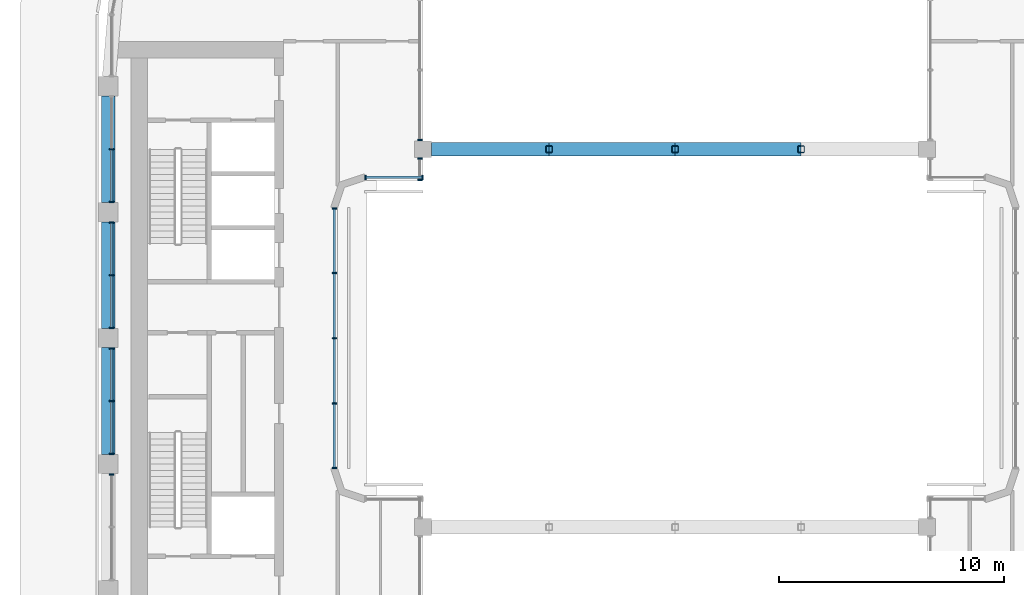
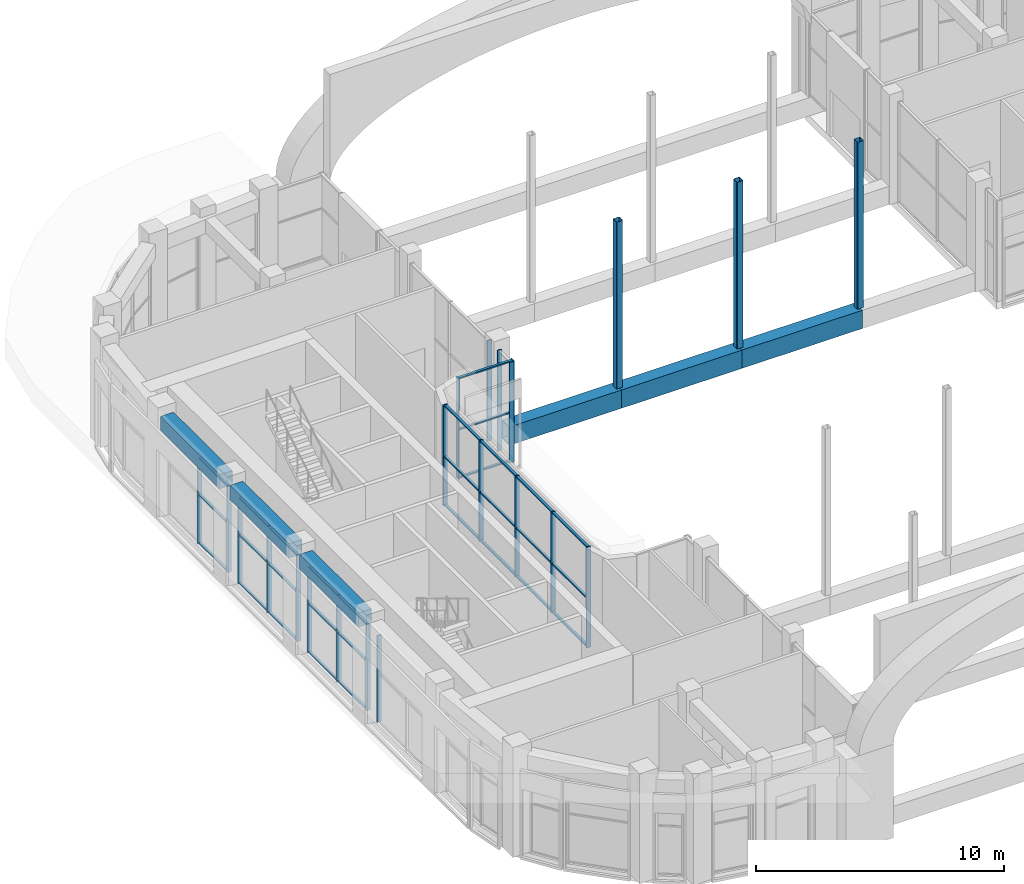
# One storey, part 4 of 26: 55 members, 3 beams, 8 elements without a shape of their own.
"""IFC4 building model written with IfcOpenShell, lengths in metres."""

import ifcopenshell
import ifcopenshell.guid

model = None  # the IFC model being written
_history = None  # IfcOwnerHistory: only IFC2X3 demands one
_inside = {}  # id of a spatial element -> (the spatial element, [elements in it])
_under = {}  # id of a project, library or spatial element -> (it, [spatial elements below it])
_declared = {}  # id of a project -> (the project, [libraries it declares])
_typed = {}  # id of a type object -> (the type object, [elements of that type])
_made_of = {}  # id of a material, layer set ... -> (it, [elements and type objects made of it])


def new_model(schema):
    """Start an empty IFC model of exactly this schema.

    Asked for "IFC4X3", IfcOpenShell would pick the latest addendum, in which some entities
    have other attributes; the version numbers below select the first issue.
    IFC2X3 requires an IfcOwnerHistory on every rooted entity: one is made here for all.
    """
    global model, _history
    if schema == "IFC4X3":
        model = ifcopenshell.file(schema_version=(4, 3, 0, 0))
    else:
        model = ifcopenshell.file(schema=schema)
    _inside.clear()
    _under.clear()
    _declared.clear()
    _typed.clear()
    _made_of.clear()
    _history = None
    if model.schema == "IFC2X3":
        org = make("IfcOrganization", Name="unknown")
        user = make(
            "IfcPersonAndOrganization",
            ThePerson=make("IfcPerson", FamilyName="unknown"),
            TheOrganization=org,
        )
        app = make(
            "IfcApplication",
            ApplicationDeveloper=org,
            Version="unknown",
            ApplicationFullName="unknown",
            ApplicationIdentifier="unknown",
        )
        _history = make(
            "IfcOwnerHistory",
            OwningUser=user,
            OwningApplication=app,
            ChangeAction="ADDED",
            CreationDate=0,
        )
    return model


def make(cls, **values):
    """One entity of the class cls with the attributes given. An attribute that is None is left unset."""
    return model.create_entity(
        cls, **{name: value for name, value in values.items() if value is not None}
    )


def rooted(cls, **values):
    """An entity with a GlobalId (a new one), such as an element, a storey or a relation."""
    return make(cls, GlobalId=ifcopenshell.guid.new(), OwnerHistory=_history, **values)


def si_unit(unit_type, name, prefix=None):
    """IfcSIUnit, for example si_unit("LENGTHUNIT", "METRE", prefix="MILLI")."""
    return make("IfcSIUnit", UnitType=unit_type, Prefix=prefix, Name=name)


def assignment(units):
    """IfcUnitAssignment: the units of a project."""
    return None if units is None else make("IfcUnitAssignment", Units=units)


def point(xyz):
    """IfcCartesianPoint."""
    return None if xyz is None else make("IfcCartesianPoint", Coordinates=xyz)


def direction(xyz):
    """IfcDirection."""
    return None if xyz is None else make("IfcDirection", DirectionRatios=xyz)


def frame(location, z_axis=None, x_axis=None):
    """IfcAxis2Placement3D, a coordinate frame: its origin and axes. An axis left out is left unset."""
    return make(
        "IfcAxis2Placement3D",
        Location=point(location),
        Axis=direction(z_axis),
        RefDirection=direction(x_axis),
    )


def frame_2d(location, x_axis=None):
    """IfcAxis2Placement2D, a coordinate frame in the plane: its origin and x axis."""
    return make(
        "IfcAxis2Placement2D", Location=point(location), RefDirection=direction(x_axis)
    )


def origin():
    """The frame at (0, 0, 0) with its axes left unset."""
    return frame((0.0, 0.0, 0.0))


def origin_2d():
    """The frame at (0, 0) in the plane with its x axis left unset."""
    return frame_2d((0.0, 0.0))


def place(relative_to, where):
    """IfcLocalPlacement: puts the frame where relative to a parent placement (None: the world)."""
    return make(
        "IfcLocalPlacement", PlacementRelTo=relative_to, RelativePlacement=where
    )


def context(
    kind, dimensions, precision=None, world=None, true_north=None, identifier=None
):
    """IfcGeometricRepresentationContext, for example the 3D "Model" context."""
    return make(
        "IfcGeometricRepresentationContext",
        ContextIdentifier=identifier,
        ContextType=kind,
        CoordinateSpaceDimension=dimensions,
        Precision=precision,
        WorldCoordinateSystem=world,
        TrueNorth=true_north,
    )


def subcontext(parent, identifier, kind, view, scale=None):
    """IfcGeometricRepresentationSubContext, for example "Body" below "Model"."""
    return make(
        "IfcGeometricRepresentationSubContext",
        ContextIdentifier=identifier,
        ContextType=kind,
        ParentContext=parent,
        TargetScale=scale,
        TargetView=view,
    )


def project(units=None, contexts=None):
    """IfcProject with its units and contexts."""
    return rooted(
        "IfcProject",
        Name="project",
        RepresentationContexts=contexts,
        UnitsInContext=assignment(units),
    )


def spatial(cls, under=None, at=None, **own):
    """A site, building, storey or space (cls), placed at a placement, below another one or the project."""
    s = rooted(cls, ObjectPlacement=at, **own)
    if under is not None:
        _under.setdefault(under.id(), (under, []))[1].append(s)
    return s


def profile(cls, at=None, kind="AREA", **sizes):
    """A parametric profile (cls). Its sizes go by their IFC names, for example OverallWidth=200.0."""
    return make(cls, ProfileType=kind, Position=at, **sizes)


def rectangle(**sizes):
    """IfcRectangleProfileDef."""
    return profile("IfcRectangleProfileDef", **sizes)


def hollow_rectangle(**sizes):
    """IfcRectangleHollowProfileDef."""
    return profile("IfcRectangleHollowProfileDef", **sizes)


def extrude(swept, where, along, depth):
    """IfcExtrudedAreaSolid: the profile swept, set in the frame where, extruded along a direction by depth."""
    return make(
        "IfcExtrudedAreaSolid",
        SweptArea=swept,
        Position=where,
        ExtrudedDirection=direction(along),
        Depth=depth,
    )


def shape(context_of_items, identifier, shape_type, items):
    """IfcShapeRepresentation: the items that make up one representation, for example the "Body"."""
    return make(
        "IfcShapeRepresentation",
        ContextOfItems=context_of_items,
        RepresentationIdentifier=identifier,
        RepresentationType=shape_type,
        Items=items,
    )


def material(Name=None, Category=None):
    """IfcMaterial."""
    return make("IfcMaterial", Name=Name, Category=Category)


def layer(
    of_material, thickness, ventilated=None, Name=None, Category=None, Priority=None
):
    """IfcMaterialLayer: one layer of a wall or slab, of a material (None: an air gap)."""
    return make(
        "IfcMaterialLayer",
        Material=of_material,
        LayerThickness=thickness,
        IsVentilated=ventilated,
        Name=Name,
        Category=Category,
        Priority=Priority,
    )


def layer_set(layers, Name=None):
    """IfcMaterialLayerSet."""
    return make("IfcMaterialLayerSet", MaterialLayers=layers, LayerSetName=Name)


def material_profile(
    of_material, cross_section, Name=None, Category=None, Priority=None
):
    """IfcMaterialProfile: a cross section and its material."""
    return make(
        "IfcMaterialProfile",
        Name=Name,
        Material=of_material,
        Profile=cross_section,
        Priority=Priority,
        Category=Category,
    )


def profile_set(profiles, Name=None, composite=None):
    """IfcMaterialProfileSet."""
    return make(
        "IfcMaterialProfileSet",
        Name=Name,
        MaterialProfiles=profiles,
        CompositeProfile=composite,
    )


def made_of(thing, what):
    """Note that an element or type object is made of a material, layer set ...; save() writes the relation."""
    if what is not None:
        _made_of.setdefault(what.id(), (what, []))[1].append(thing)
    return thing


def type_object(cls, material=None, **own):
    """A type object (cls), such as IfcWallType, which elements share."""
    return made_of(rooted(cls, **own), material)


def element(
    cls,
    number,
    at=None,
    inside=None,
    cuts=None,
    type_object=None,
    material=None,
    context=None,
    identifier="Body",
    shape_type=None,
    held_by="IfcProductDefinitionShape",
    body=None,
    shapes=None,
    **own,
):
    """One element of the class cls, such as IfcWall. Its Tag is "e" and its number.

    at: its placement. inside: the storey or other place that contains it. cuts: it is an
    opening in that element (IfcRelVoidsElement). A single representation is given by context,
    identifier, shape_type and body (its items); several are given by shapes. held_by: the class
    of the entity that holds the representations. save() writes the other relations.
    """
    e = rooted(cls, Tag="e%d" % number, ObjectPlacement=at, **own)
    if body is not None:
        shapes = [shape(context, identifier, shape_type, body)]
    if shapes is not None:
        e.Representation = make(held_by, Representations=shapes)
    if inside is not None:
        _inside.setdefault(inside.id(), (inside, []))[1].append(e)
    if cuts is not None:
        rooted(
            "IfcRelVoidsElement", RelatingBuildingElement=cuts, RelatedOpeningElement=e
        )
    if type_object is not None:
        _typed.setdefault(type_object.id(), (type_object, []))[1].append(e)
    return made_of(e, material)


def aggregate(whole, parts):
    """IfcRelAggregates: a whole, such as a stair, and the parts it consists of."""
    return rooted("IfcRelAggregates", RelatingObject=whole, RelatedObjects=parts)


def save(model, path):
    """Write the relations noted so far, then the file.

    IfcRelAggregates (storeys below a building ...), IfcRelContainedInSpatialStructure (elements
    in a storey), IfcRelDefinesByType, IfcRelAssociatesMaterial and IfcRelDeclares: one each for
    every whole, place, type object, material and project.
    """
    for whole, parts in _under.values():
        aggregate(whole, parts)
    for where, things in _inside.values():
        rooted(
            "IfcRelContainedInSpatialStructure",
            RelatedElements=things,
            RelatingStructure=where,
        )
    for kind, things in _typed.values():
        rooted("IfcRelDefinesByType", RelatedObjects=things, RelatingType=kind)
    for what, things in _made_of.values():
        rooted("IfcRelAssociatesMaterial", RelatedObjects=things, RelatingMaterial=what)
    for by, libraries in _declared.values():
        rooted("IfcRelDeclares", RelatingContext=by, RelatedDefinitions=libraries)
    model.write(path)


model = new_model("IFC4")

# Units and contexts
model_context = context("Model", 3, precision=1e-05, world=origin(), true_north=direction((0.0, 1.0)))
body_context = subcontext(model_context, "Body", "Model", "MODEL_VIEW")
ifc_project = project(units=[si_unit("LENGTHUNIT", "METRE"), si_unit("AREAUNIT", "SQUARE_METRE"), si_unit("VOLUMEUNIT", "CUBIC_METRE"), si_unit("PLANEANGLEUNIT", "RADIAN"), si_unit("MASSUNIT", "GRAM", prefix="KILO")], contexts=[model_context])

# Site, building, storey
site_placement = place(None, origin())
site = spatial("IfcSite", under=ifc_project, at=site_placement, CompositionType="ELEMENT")
building_placement = place(site_placement, origin())
building = spatial("IfcBuilding", under=site, at=building_placement, Name="Kiln Ring Residences", CompositionType="ELEMENT")
storey_placement = place(building_placement, frame((0.0, 0.0, 230.89990234375)))
storey = spatial("IfcBuildingStorey", under=building, at=storey_placement, Name="L60", CompositionType="ELEMENT", Elevation=230.89990234375)

# Members
ifc_material_1 = material(Name="Steel S460", Category="steel")
ifc_material_profile_1 = material_profile(ifc_material_1, hollow_rectangle(XDim=0.60009765625, YDim=0.89990234375, WallThickness=0.050048828125, at=origin_2d()), Name="BOX900x600x50")
ifc_profile_set_1 = profile_set([ifc_material_profile_1], Name="Steel S460")
member_type_1 = type_object("IfcMemberType", Name="Bridge truss chord BOX900x600x50 S460", PredefinedType="CHORD", material=ifc_profile_set_1)
member_1_placement = place(storey_placement, frame((-10.824951171875, 8.39990234375, 0.4501953125), z_axis=(1.0, 0.0, 0.0), x_axis=(0.0, 1.0, 0.0)))
element("IfcMember", 1, at=member_1_placement, inside=storey, type_object=member_type_1, Name="Bridge truss chord L60 15", PredefinedType="CHORD", context=body_context, shape_type="SweptSolid", body=[
    extrude(hollow_rectangle(XDim=0.60009765625, YDim=0.89990234375, WallThickness=0.050048828125, at=origin_2d()), origin(), (0.0, 0.0, 1.0), 5.224853515625),
])
for number, where, z_axis, x_axis, name in (
    (2, (-5.60009765625, 8.39990234375, 0.4501953125), (1.0, 0.0, 0.0), (0.0, 1.0, 0.0), "Bridge truss chord L60 16"),
    (3, (0.0, 8.39990234375, 0.4501953125), (1.0, 0.0, 0.0), (0.0, 1.0, 0.0), "Bridge truss chord L60 17"),
):
    element("IfcMember", number, at=place(storey_placement, frame(where, z_axis=z_axis, x_axis=x_axis)), inside=storey, type_object=member_type_1, Name=name, PredefinedType="CHORD", context=body_context, shape_type="SweptSolid", body=[
        extrude(hollow_rectangle(XDim=0.60009765625, YDim=0.89990234375, WallThickness=0.050048828125, at=origin_2d()), origin(), (0.0, 0.0, 1.0), 5.60009765625),
    ])
ifc_material_2 = material(Name="Steel S355", Category="steel")
ifc_material_profile_2 = material_profile(ifc_material_2, hollow_rectangle(XDim=0.300048828125, YDim=0.300048828125, WallThickness=0.01611328125, InnerFilletRadius=0.01611328125, OuterFilletRadius=0.0400390625, at=origin_2d()), Name="SHS300x300x16")
ifc_profile_set_2 = profile_set([ifc_material_profile_2], Name="Steel S355")
member_type_2 = type_object("IfcMemberType", Name="Bridge truss post SHS300x300x16 S355", PredefinedType="POST", material=ifc_profile_set_2)
for number, where, z_axis, x_axis, name in (
    (4, (-5.60009765625, 8.39990234375, 0.900146484375), (0.0, 0.0, 1.0), (1.0, 0.0, 0.0), "Bridge truss post L60 10"),
    (5, (0.0, 8.39990234375, 0.900146484375), (0.0, 0.0, 1.0), (1.0, 0.0, 0.0), "Bridge truss post L60 11"),
    (6, (5.60009765625, 8.39990234375, 0.900146484375), (0.0, 0.0, 1.0), (1.0, 0.0, 0.0), "Bridge truss post L60 12"),
):
    element("IfcMember", number, at=place(storey_placement, frame(where, z_axis=z_axis, x_axis=x_axis)), inside=storey, type_object=member_type_2, Name=name, PredefinedType="POST", context=body_context, shape_type="SweptSolid", body=[
        extrude(hollow_rectangle(XDim=0.300048828125, YDim=0.300048828125, WallThickness=0.01611328125, InnerFilletRadius=0.01611328125, OuterFilletRadius=0.0400390625, at=origin_2d()), origin(), (0.0, 0.0, 1.0), 8.199951171875),
    ])

# Curtain wall, members
ifc_material_3 = material(Name="Aluminium and glass", Category="aluminium")
ifc_layer = layer(ifc_material_3, 0.199951171875)
ifc_layer_set = layer_set([ifc_layer], Name="CW1 CURTAIN WALL")
curtain_wall_type = type_object("IfcCurtainWallType", Name="CW1 CURTAIN WALL", PredefinedType="NOTDEFINED", material=ifc_layer_set)
placement = place(storey_placement, origin())
curtain_wall_1 = element("IfcCurtainWall", 7, at=placement, inside=storey, type_object=curtain_wall_type, Name="Curtain wall CW1 L60", PredefinedType="NOTDEFINED")
ifc_material_4 = material(Name="Aluminium 6063-T6", Category="aluminium")
ifc_material_profile_3 = material_profile(ifc_material_4, rectangle(XDim=0.199951171875, YDim=0.06005859375, at=origin_2d()), Name="AL 200x60")
ifc_profile_set_3 = profile_set([ifc_material_profile_3], Name="Aluminium 6063-T6")
member_type_3 = type_object("IfcMemberType", Name="CW1 MULLION 200 x 60", PredefinedType="MULLION", material=ifc_profile_set_3)
member_2_placement = place(storey_placement, frame((-15.14990234375, -5.77001953125, 0.0), z_axis=(0.0, 0.0, 1.0), x_axis=(-1.0, 0.0, 0.0)))
member_2 = element("IfcMember", 8, at=member_2_placement, type_object=member_type_3, Name="CW1 mullion 1", PredefinedType="MULLION", context=body_context, shape_type="SweptSolid", body=[
    extrude(rectangle(XDim=0.199951171875, YDim=0.06005859375, at=origin_2d()), origin(), (0.0, 0.0, 1.0), 4.9501953125),
])
member_3_placement = place(storey_placement, frame((-15.14990234375, -2.89990234375, 0.0), z_axis=(0.0, 0.0, 1.0), x_axis=(-1.0, 0.0, 0.0)))
member_3 = element("IfcMember", 9, at=member_3_placement, type_object=member_type_3, Name="CW1 mullion 2", PredefinedType="MULLION", context=body_context, shape_type="SweptSolid", body=[
    extrude(rectangle(XDim=0.199951171875, YDim=0.06005859375, at=origin_2d()), origin(), (0.0, 0.0, 1.0), 4.9501953125),
])
member_4_placement = place(storey_placement, frame((-15.14990234375, 0.0, 0.0), z_axis=(0.0, 0.0, 1.0), x_axis=(-1.0, 0.0, 0.0)))
member_4 = element("IfcMember", 10, at=member_4_placement, type_object=member_type_3, Name="CW1 mullion 3", PredefinedType="MULLION", context=body_context, shape_type="SweptSolid", body=[
    extrude(rectangle(XDim=0.199951171875, YDim=0.06005859375, at=origin_2d()), origin(), (0.0, 0.0, 1.0), 4.9501953125),
])
member_5_placement = place(storey_placement, frame((-15.14990234375, 2.89990234375, 0.0), z_axis=(0.0, 0.0, 1.0), x_axis=(-1.0, 0.0, 0.0)))
member_5 = element("IfcMember", 11, at=member_5_placement, type_object=member_type_3, Name="CW1 mullion 4", PredefinedType="MULLION", context=body_context, shape_type="SweptSolid", body=[
    extrude(rectangle(XDim=0.199951171875, YDim=0.06005859375, at=origin_2d()), origin(), (0.0, 0.0, 1.0), 4.9501953125),
])
member_6_placement = place(storey_placement, frame((-15.14990234375, 5.77001953125, 0.0), z_axis=(0.0, 0.0, 1.0), x_axis=(-1.0, 0.0, 0.0)))
member_6 = element("IfcMember", 12, at=member_6_placement, type_object=member_type_3, Name="CW1 mullion 5", PredefinedType="MULLION", context=body_context, shape_type="SweptSolid", body=[
    extrude(rectangle(XDim=0.199951171875, YDim=0.06005859375, at=origin_2d()), origin(), (0.0, 0.0, 1.0), 4.9501953125),
])

curtain_wall_2 = element("IfcCurtainWall", 13, at=placement, inside=storey, type_object=curtain_wall_type, Name="Curtain wall CW1 L60", PredefinedType="NOTDEFINED")
member_7_placement = place(storey_placement, frame((-13.77001953125, 7.14990234375, 0.0), z_axis=(0.0, 0.0, 1.0), x_axis=(0.0, 1.0, 0.0)))
member_7 = element("IfcMember", 14, at=member_7_placement, type_object=member_type_3, Name="CW1 mullion 1", PredefinedType="MULLION", context=body_context, shape_type="SweptSolid", body=[
    extrude(rectangle(XDim=0.199951171875, YDim=0.06005859375, at=origin_2d()), origin(), (0.0, 0.0, 1.0), 4.9501953125),
])
member_8_placement = place(storey_placement, frame((-11.22998046875, 7.14990234375, 0.0), z_axis=(0.0, 0.0, 1.0), x_axis=(0.0, 1.0, 0.0)))
member_8 = element("IfcMember", 15, at=member_8_placement, type_object=member_type_3, Name="CW1 mullion 2", PredefinedType="MULLION", context=body_context, shape_type="SweptSolid", body=[
    extrude(rectangle(XDim=0.199951171875, YDim=0.06005859375, at=origin_2d()), origin(), (0.0, 0.0, 1.0), 4.9501953125),
])

curtain_wall_3 = element("IfcCurtainWall", 16, at=placement, inside=storey, type_object=curtain_wall_type, Name="Curtain wall CW1 L60", PredefinedType="NOTDEFINED")
member_9_placement = place(storey_placement, frame((-11.35009765625, 7.030029296875, 0.0), z_axis=(0.0, 0.0, 1.0), x_axis=(-1.0, 0.0, 0.0)))
member_9 = element("IfcMember", 17, at=member_9_placement, type_object=member_type_3, Name="CW1 mullion 1", PredefinedType="MULLION", context=body_context, shape_type="SweptSolid", body=[
    extrude(rectangle(XDim=0.199951171875, YDim=0.06005859375, at=origin_2d()), origin(), (0.0, 0.0, 1.0), 4.9501953125),
])
member_10_placement = place(storey_placement, frame((-11.35009765625, 7.9951171875, 0.0), z_axis=(0.0, 0.0, 1.0), x_axis=(-1.0, 0.0, 0.0)))
member_10 = element("IfcMember", 18, at=member_10_placement, type_object=member_type_3, Name="CW1 mullion 2", PredefinedType="MULLION", context=body_context, shape_type="SweptSolid", body=[
    extrude(rectangle(XDim=0.199951171875, YDim=0.06005859375, at=origin_2d()), origin(), (0.0, 0.0, 1.0), 4.9501953125),
])
aggregate(curtain_wall_3, [member_9, member_10])

# Curtain wall, member
curtain_wall_4 = element("IfcCurtainWall", 19, at=placement, inside=storey, type_object=curtain_wall_type, Name="Curtain wall CW1 L60", PredefinedType="NOTDEFINED")
member_11_placement = place(storey_placement, frame((-11.35009765625, 8.804931640625, 0.0), z_axis=(0.0, 0.0, 1.0), x_axis=(-1.0, 0.0, 0.0)))
member_11 = element("IfcMember", 20, at=member_11_placement, type_object=member_type_3, Name="CW1 mullion 1", PredefinedType="MULLION", context=body_context, shape_type="SweptSolid", body=[
    extrude(rectangle(XDim=0.199951171875, YDim=0.06005859375, at=origin_2d()), origin(), (0.0, 0.0, 1.0), 4.9501953125),
])
aggregate(curtain_wall_4, [member_11])

# Curtain wall, members
curtain_wall_5 = element("IfcCurtainWall", 21, at=placement, inside=storey, type_object=curtain_wall_type, Name="Curtain wall CW1 L60", PredefinedType="NOTDEFINED")
member_12_placement = place(storey_placement, frame((-25.050048828125, 8.39990234375, 0.0), z_axis=(0.0, 0.0, 1.0), x_axis=(1.0, 0.0, 0.0)))
member_12 = element("IfcMember", 22, at=member_12_placement, type_object=member_type_3, Name="CW1 mullion 2", PredefinedType="MULLION", context=body_context, shape_type="SweptSolid", body=[
    extrude(rectangle(XDim=0.199951171875, YDim=0.06005859375, at=origin_2d()), origin(), (0.0, 0.0, 1.0), 4.25),
])
member_13_placement = place(storey_placement, frame((-25.050048828125, 6.054931640625, 0.0), z_axis=(0.0, 0.0, 1.0), x_axis=(1.0, 0.0, 0.0)))
member_13 = element("IfcMember", 23, at=member_13_placement, type_object=member_type_3, Name="CW1 mullion 3", PredefinedType="MULLION", context=body_context, shape_type="SweptSolid", body=[
    extrude(rectangle(XDim=0.199951171875, YDim=0.06005859375, at=origin_2d()), origin(), (0.0, 0.0, 1.0), 4.25),
])

curtain_wall_6 = element("IfcCurtainWall", 24, at=placement, inside=storey, type_object=curtain_wall_type, Name="Curtain wall CW1 L60", PredefinedType="NOTDEFINED")
member_14_placement = place(storey_placement, frame((-25.050048828125, 5.14501953125, 0.0), z_axis=(0.0, 0.0, 1.0), x_axis=(1.0, 0.0, 0.0)))
member_14 = element("IfcMember", 25, at=member_14_placement, type_object=member_type_3, Name="CW1 mullion 1", PredefinedType="MULLION", context=body_context, shape_type="SweptSolid", body=[
    extrude(rectangle(XDim=0.199951171875, YDim=0.06005859375, at=origin_2d()), origin(), (0.0, 0.0, 1.0), 4.25),
])
member_15_placement = place(storey_placement, frame((-25.050048828125, 2.800048828125, 0.0), z_axis=(0.0, 0.0, 1.0), x_axis=(1.0, 0.0, 0.0)))
member_15 = element("IfcMember", 26, at=member_15_placement, type_object=member_type_3, Name="CW1 mullion 2", PredefinedType="MULLION", context=body_context, shape_type="SweptSolid", body=[
    extrude(rectangle(XDim=0.199951171875, YDim=0.06005859375, at=origin_2d()), origin(), (0.0, 0.0, 1.0), 4.25),
])
member_16_placement = place(storey_placement, frame((-25.050048828125, 0.455078125, 0.0), z_axis=(0.0, 0.0, 1.0), x_axis=(1.0, 0.0, 0.0)))
member_16 = element("IfcMember", 27, at=member_16_placement, type_object=member_type_3, Name="CW1 mullion 3", PredefinedType="MULLION", context=body_context, shape_type="SweptSolid", body=[
    extrude(rectangle(XDim=0.199951171875, YDim=0.06005859375, at=origin_2d()), origin(), (0.0, 0.0, 1.0), 4.25),
])

curtain_wall_7 = element("IfcCurtainWall", 28, at=placement, inside=storey, type_object=curtain_wall_type, Name="Curtain wall CW1 L60", PredefinedType="NOTDEFINED")
member_17_placement = place(storey_placement, frame((-25.050048828125, -0.455078125, 0.0), z_axis=(0.0, 0.0, 1.0), x_axis=(1.0, 0.0, 0.0)))
member_17 = element("IfcMember", 29, at=member_17_placement, type_object=member_type_3, Name="CW1 mullion 1", PredefinedType="MULLION", context=body_context, shape_type="SweptSolid", body=[
    extrude(rectangle(XDim=0.199951171875, YDim=0.06005859375, at=origin_2d()), origin(), (0.0, 0.0, 1.0), 4.25),
])
member_18_placement = place(storey_placement, frame((-25.050048828125, -2.800048828125, 0.0), z_axis=(0.0, 0.0, 1.0), x_axis=(1.0, 0.0, 0.0)))
member_18 = element("IfcMember", 30, at=member_18_placement, type_object=member_type_3, Name="CW1 mullion 2", PredefinedType="MULLION", context=body_context, shape_type="SweptSolid", body=[
    extrude(rectangle(XDim=0.199951171875, YDim=0.06005859375, at=origin_2d()), origin(), (0.0, 0.0, 1.0), 4.25),
])
member_19_placement = place(storey_placement, frame((-25.050048828125, -5.14501953125, 0.0), z_axis=(0.0, 0.0, 1.0), x_axis=(1.0, 0.0, 0.0)))
member_19 = element("IfcMember", 31, at=member_19_placement, type_object=member_type_3, Name="CW1 mullion 3", PredefinedType="MULLION", context=body_context, shape_type="SweptSolid", body=[
    extrude(rectangle(XDim=0.199951171875, YDim=0.06005859375, at=origin_2d()), origin(), (0.0, 0.0, 1.0), 4.25),
])

# Curtain wall, member
curtain_wall_8 = element("IfcCurtainWall", 32, at=placement, inside=storey, type_object=curtain_wall_type, Name="Curtain wall CW1 L60", PredefinedType="NOTDEFINED")
member_20_placement = place(storey_placement, frame((-25.050048828125, -6.054931640625, 0.0), z_axis=(0.0, 0.0, 1.0), x_axis=(1.0, 0.0, 0.0)))
member_20 = element("IfcMember", 33, at=member_20_placement, type_object=member_type_3, Name="CW1 mullion 1", PredefinedType="MULLION", context=body_context, shape_type="SweptSolid", body=[
    extrude(rectangle(XDim=0.199951171875, YDim=0.06005859375, at=origin_2d()), origin(), (0.0, 0.0, 1.0), 4.25),
])
aggregate(curtain_wall_8, [member_20])

# Member
ifc_material_5 = material(Name="Aluminium 6063-T6", Category="aluminium")
ifc_material_profile_4 = material_profile(ifc_material_5, rectangle(XDim=0.1201171875, YDim=0.06005859375, at=origin_2d()), Name="AL 120x60")
ifc_profile_set_4 = profile_set([ifc_material_profile_4], Name="Aluminium 6063-T6")
member_type_4 = type_object("IfcMemberType", Name="CW1 TRANSOM 120 x 60", PredefinedType="USERDEFINED", material=ifc_profile_set_4)
member_21_placement = place(storey_placement, frame((-15.14990234375, -5.739990234375, 0.030029296875), z_axis=(0.0, 1.0, 0.0), x_axis=(-1.0, 0.0, 0.0)))
member_21 = element("IfcMember", 34, at=member_21_placement, type_object=member_type_4, Name="CW1 transom 1.1", ObjectType="TRANSOM", PredefinedType="USERDEFINED", context=body_context, shape_type="SweptSolid", body=[
    extrude(rectangle(XDim=0.1201171875, YDim=0.06005859375, at=origin_2d()), origin(), (0.0, 0.0, 1.0), 2.81005859375),
])

member_22_placement = place(storey_placement, frame((-15.14990234375, -5.739990234375, 2.400146484375), z_axis=(0.0, 1.0, 0.0), x_axis=(-1.0, 0.0, 0.0)))
member_22 = element("IfcMember", 35, at=member_22_placement, type_object=member_type_4, Name="CW1 transom 1.2", ObjectType="TRANSOM", PredefinedType="USERDEFINED", context=body_context, shape_type="SweptSolid", body=[
    extrude(rectangle(XDim=0.1201171875, YDim=0.06005859375, at=origin_2d()), origin(), (0.0, 0.0, 1.0), 2.81005859375),
])

member_23_placement = place(storey_placement, frame((-15.14990234375, -5.739990234375, 4.920166015625), z_axis=(0.0, 1.0, 0.0), x_axis=(-1.0, 0.0, 0.0)))
member_23 = element("IfcMember", 36, at=member_23_placement, type_object=member_type_4, Name="CW1 transom 1.3", ObjectType="TRANSOM", PredefinedType="USERDEFINED", context=body_context, shape_type="SweptSolid", body=[
    extrude(rectangle(XDim=0.1201171875, YDim=0.06005859375, at=origin_2d()), origin(), (0.0, 0.0, 1.0), 2.81005859375),
])

member_24_placement = place(storey_placement, frame((-15.14990234375, -2.8701171875, 0.030029296875), z_axis=(0.0, 1.0, 0.0), x_axis=(-1.0, 0.0, 0.0)))
member_24 = element("IfcMember", 37, at=member_24_placement, type_object=member_type_4, Name="CW1 transom 2.1", ObjectType="TRANSOM", PredefinedType="USERDEFINED", context=body_context, shape_type="SweptSolid", body=[
    extrude(rectangle(XDim=0.1201171875, YDim=0.06005859375, at=origin_2d()), origin(), (0.0, 0.0, 1.0), 2.840087890625),
])

member_25_placement = place(storey_placement, frame((-15.14990234375, -2.8701171875, 2.400146484375), z_axis=(0.0, 1.0, 0.0), x_axis=(-1.0, 0.0, 0.0)))
member_25 = element("IfcMember", 38, at=member_25_placement, type_object=member_type_4, Name="CW1 transom 2.2", ObjectType="TRANSOM", PredefinedType="USERDEFINED", context=body_context, shape_type="SweptSolid", body=[
    extrude(rectangle(XDim=0.1201171875, YDim=0.06005859375, at=origin_2d()), origin(), (0.0, 0.0, 1.0), 2.840087890625),
])

member_26_placement = place(storey_placement, frame((-15.14990234375, -2.8701171875, 4.920166015625), z_axis=(0.0, 1.0, 0.0), x_axis=(-1.0, 0.0, 0.0)))
member_26 = element("IfcMember", 39, at=member_26_placement, type_object=member_type_4, Name="CW1 transom 2.3", ObjectType="TRANSOM", PredefinedType="USERDEFINED", context=body_context, shape_type="SweptSolid", body=[
    extrude(rectangle(XDim=0.1201171875, YDim=0.06005859375, at=origin_2d()), origin(), (0.0, 0.0, 1.0), 2.840087890625),
])

member_27_placement = place(storey_placement, frame((-15.14990234375, 0.030029296875, 0.030029296875), z_axis=(0.0, 1.0, 0.0), x_axis=(-1.0, 0.0, 0.0)))
member_27 = element("IfcMember", 40, at=member_27_placement, type_object=member_type_4, Name="CW1 transom 3.1", ObjectType="TRANSOM", PredefinedType="USERDEFINED", context=body_context, shape_type="SweptSolid", body=[
    extrude(rectangle(XDim=0.1201171875, YDim=0.06005859375, at=origin_2d()), origin(), (0.0, 0.0, 1.0), 2.840087890625),
])

member_28_placement = place(storey_placement, frame((-15.14990234375, 0.030029296875, 2.400146484375), z_axis=(0.0, 1.0, 0.0), x_axis=(-1.0, 0.0, 0.0)))
member_28 = element("IfcMember", 41, at=member_28_placement, type_object=member_type_4, Name="CW1 transom 3.2", ObjectType="TRANSOM", PredefinedType="USERDEFINED", context=body_context, shape_type="SweptSolid", body=[
    extrude(rectangle(XDim=0.1201171875, YDim=0.06005859375, at=origin_2d()), origin(), (0.0, 0.0, 1.0), 2.840087890625),
])

member_29_placement = place(storey_placement, frame((-15.14990234375, 0.030029296875, 4.920166015625), z_axis=(0.0, 1.0, 0.0), x_axis=(-1.0, 0.0, 0.0)))
member_29 = element("IfcMember", 42, at=member_29_placement, type_object=member_type_4, Name="CW1 transom 3.3", ObjectType="TRANSOM", PredefinedType="USERDEFINED", context=body_context, shape_type="SweptSolid", body=[
    extrude(rectangle(XDim=0.1201171875, YDim=0.06005859375, at=origin_2d()), origin(), (0.0, 0.0, 1.0), 2.840087890625),
])

member_30_placement = place(storey_placement, frame((-15.14990234375, 2.929931640625, 0.030029296875), z_axis=(0.0, 1.0, 0.0), x_axis=(-1.0, 0.0, 0.0)))
member_30 = element("IfcMember", 43, at=member_30_placement, type_object=member_type_4, Name="CW1 transom 4.1", ObjectType="TRANSOM", PredefinedType="USERDEFINED", context=body_context, shape_type="SweptSolid", body=[
    extrude(rectangle(XDim=0.1201171875, YDim=0.06005859375, at=origin_2d()), origin(), (0.0, 0.0, 1.0), 2.81005859375),
])

member_31_placement = place(storey_placement, frame((-15.14990234375, 2.929931640625, 2.400146484375), z_axis=(0.0, 1.0, 0.0), x_axis=(-1.0, 0.0, 0.0)))
member_31 = element("IfcMember", 44, at=member_31_placement, type_object=member_type_4, Name="CW1 transom 4.2", ObjectType="TRANSOM", PredefinedType="USERDEFINED", context=body_context, shape_type="SweptSolid", body=[
    extrude(rectangle(XDim=0.1201171875, YDim=0.06005859375, at=origin_2d()), origin(), (0.0, 0.0, 1.0), 2.81005859375),
])

member_32_placement = place(storey_placement, frame((-15.14990234375, 2.929931640625, 4.920166015625), z_axis=(0.0, 1.0, 0.0), x_axis=(-1.0, 0.0, 0.0)))
member_32 = element("IfcMember", 45, at=member_32_placement, type_object=member_type_4, Name="CW1 transom 4.3", ObjectType="TRANSOM", PredefinedType="USERDEFINED", context=body_context, shape_type="SweptSolid", body=[
    extrude(rectangle(XDim=0.1201171875, YDim=0.06005859375, at=origin_2d()), origin(), (0.0, 0.0, 1.0), 2.81005859375),
])

aggregate(curtain_wall_1, [member_2, member_3, member_4, member_5, member_6, member_21, member_22, member_23, member_24, member_25, member_26, member_27, member_28, member_29, member_30, member_31, member_32])

member_33_placement = place(storey_placement, frame((-13.739990234375, 7.14990234375, 0.030029296875), z_axis=(1.0, 0.0, 0.0), x_axis=(0.0, 1.0, 0.0)))
member_33 = element("IfcMember", 46, at=member_33_placement, type_object=member_type_4, Name="CW1 transom 1.1", ObjectType="TRANSOM", PredefinedType="USERDEFINED", context=body_context, shape_type="SweptSolid", body=[
    extrude(rectangle(XDim=0.1201171875, YDim=0.06005859375, at=origin_2d()), origin(), (0.0, 0.0, 1.0), 2.47998046875),
])

member_34_placement = place(storey_placement, frame((-13.739990234375, 7.14990234375, 2.400146484375), z_axis=(1.0, 0.0, 0.0), x_axis=(0.0, 1.0, 0.0)))
member_34 = element("IfcMember", 47, at=member_34_placement, type_object=member_type_4, Name="CW1 transom 1.2", ObjectType="TRANSOM", PredefinedType="USERDEFINED", context=body_context, shape_type="SweptSolid", body=[
    extrude(rectangle(XDim=0.1201171875, YDim=0.06005859375, at=origin_2d()), origin(), (0.0, 0.0, 1.0), 2.47998046875),
])

member_35_placement = place(storey_placement, frame((-13.739990234375, 7.14990234375, 4.920166015625), z_axis=(1.0, 0.0, 0.0), x_axis=(0.0, 1.0, 0.0)))
member_35 = element("IfcMember", 48, at=member_35_placement, type_object=member_type_4, Name="CW1 transom 1.3", ObjectType="TRANSOM", PredefinedType="USERDEFINED", context=body_context, shape_type="SweptSolid", body=[
    extrude(rectangle(XDim=0.1201171875, YDim=0.06005859375, at=origin_2d()), origin(), (0.0, 0.0, 1.0), 2.47998046875),
])

aggregate(curtain_wall_2, [member_7, member_8, member_33, member_34, member_35])

member_36_placement = place(storey_placement, frame((-25.050048828125, 8.3701171875, 0.030029296875), z_axis=(0.0, -1.0, 0.0), x_axis=(1.0, 0.0, 0.0)))
member_36 = element("IfcMember", 49, at=member_36_placement, type_object=member_type_4, Name="CW1 transom 2.1", ObjectType="TRANSOM", PredefinedType="USERDEFINED", context=body_context, shape_type="SweptSolid", body=[
    extrude(rectangle(XDim=0.1201171875, YDim=0.06005859375, at=origin_2d()), origin(), (0.0, 0.0, 1.0), 2.28515625),
])

member_37_placement = place(storey_placement, frame((-25.050048828125, 8.3701171875, 2.400146484375), z_axis=(0.0, -1.0, 0.0), x_axis=(1.0, 0.0, 0.0)))
member_37 = element("IfcMember", 50, at=member_37_placement, type_object=member_type_4, Name="CW1 transom 2.2", ObjectType="TRANSOM", PredefinedType="USERDEFINED", context=body_context, shape_type="SweptSolid", body=[
    extrude(rectangle(XDim=0.1201171875, YDim=0.06005859375, at=origin_2d()), origin(), (0.0, 0.0, 1.0), 2.28515625),
])

member_38_placement = place(storey_placement, frame((-25.050048828125, 8.3701171875, 4.22021484375), z_axis=(0.0, -1.0, 0.0), x_axis=(1.0, 0.0, 0.0)))
member_38 = element("IfcMember", 51, at=member_38_placement, type_object=member_type_4, Name="CW1 transom 2.3", ObjectType="TRANSOM", PredefinedType="USERDEFINED", context=body_context, shape_type="SweptSolid", body=[
    extrude(rectangle(XDim=0.1201171875, YDim=0.06005859375, at=origin_2d()), origin(), (0.0, 0.0, 1.0), 2.28515625),
])

aggregate(curtain_wall_5, [member_12, member_13, member_36, member_37, member_38])

member_39_placement = place(storey_placement, frame((-25.050048828125, 5.114990234375, 0.030029296875), z_axis=(0.0, -1.0, 0.0), x_axis=(1.0, 0.0, 0.0)))
member_39 = element("IfcMember", 52, at=member_39_placement, type_object=member_type_4, Name="CW1 transom 1.1", ObjectType="TRANSOM", PredefinedType="USERDEFINED", context=body_context, shape_type="SweptSolid", body=[
    extrude(rectangle(XDim=0.1201171875, YDim=0.06005859375, at=origin_2d()), origin(), (0.0, 0.0, 1.0), 2.284912109375),
])

member_40_placement = place(storey_placement, frame((-25.050048828125, 5.114990234375, 2.400146484375), z_axis=(0.0, -1.0, 0.0), x_axis=(1.0, 0.0, 0.0)))
member_40 = element("IfcMember", 53, at=member_40_placement, type_object=member_type_4, Name="CW1 transom 1.2", ObjectType="TRANSOM", PredefinedType="USERDEFINED", context=body_context, shape_type="SweptSolid", body=[
    extrude(rectangle(XDim=0.1201171875, YDim=0.06005859375, at=origin_2d()), origin(), (0.0, 0.0, 1.0), 2.284912109375),
])

member_41_placement = place(storey_placement, frame((-25.050048828125, 5.114990234375, 4.22021484375), z_axis=(0.0, -1.0, 0.0), x_axis=(1.0, 0.0, 0.0)))
member_41 = element("IfcMember", 54, at=member_41_placement, type_object=member_type_4, Name="CW1 transom 1.3", ObjectType="TRANSOM", PredefinedType="USERDEFINED", context=body_context, shape_type="SweptSolid", body=[
    extrude(rectangle(XDim=0.1201171875, YDim=0.06005859375, at=origin_2d()), origin(), (0.0, 0.0, 1.0), 2.284912109375),
])

member_42_placement = place(storey_placement, frame((-25.050048828125, 2.77001953125, 0.030029296875), z_axis=(0.0, -1.0, 0.0), x_axis=(1.0, 0.0, 0.0)))
member_42 = element("IfcMember", 55, at=member_42_placement, type_object=member_type_4, Name="CW1 transom 2.1", ObjectType="TRANSOM", PredefinedType="USERDEFINED", context=body_context, shape_type="SweptSolid", body=[
    extrude(rectangle(XDim=0.1201171875, YDim=0.06005859375, at=origin_2d()), origin(), (0.0, 0.0, 1.0), 2.284912109375),
])

member_43_placement = place(storey_placement, frame((-25.050048828125, 2.77001953125, 2.400146484375), z_axis=(0.0, -1.0, 0.0), x_axis=(1.0, 0.0, 0.0)))
member_43 = element("IfcMember", 56, at=member_43_placement, type_object=member_type_4, Name="CW1 transom 2.2", ObjectType="TRANSOM", PredefinedType="USERDEFINED", context=body_context, shape_type="SweptSolid", body=[
    extrude(rectangle(XDim=0.1201171875, YDim=0.06005859375, at=origin_2d()), origin(), (0.0, 0.0, 1.0), 2.284912109375),
])

member_44_placement = place(storey_placement, frame((-25.050048828125, 2.77001953125, 4.22021484375), z_axis=(0.0, -1.0, 0.0), x_axis=(1.0, 0.0, 0.0)))
member_44 = element("IfcMember", 57, at=member_44_placement, type_object=member_type_4, Name="CW1 transom 2.3", ObjectType="TRANSOM", PredefinedType="USERDEFINED", context=body_context, shape_type="SweptSolid", body=[
    extrude(rectangle(XDim=0.1201171875, YDim=0.06005859375, at=origin_2d()), origin(), (0.0, 0.0, 1.0), 2.284912109375),
])

aggregate(curtain_wall_6, [member_14, member_15, member_16, member_39, member_40, member_41, member_42, member_43, member_44])

member_45_placement = place(storey_placement, frame((-25.050048828125, -0.485107421875, 0.030029296875), z_axis=(0.0, -1.0, 0.0), x_axis=(1.0, 0.0, 0.0)))
member_45 = element("IfcMember", 58, at=member_45_placement, type_object=member_type_4, Name="CW1 transom 1.1", ObjectType="TRANSOM", PredefinedType="USERDEFINED", context=body_context, shape_type="SweptSolid", body=[
    extrude(rectangle(XDim=0.1201171875, YDim=0.06005859375, at=origin_2d()), origin(), (0.0, 0.0, 1.0), 2.284912109375),
])

member_46_placement = place(storey_placement, frame((-25.050048828125, -0.485107421875, 2.400146484375), z_axis=(0.0, -1.0, 0.0), x_axis=(1.0, 0.0, 0.0)))
member_46 = element("IfcMember", 59, at=member_46_placement, type_object=member_type_4, Name="CW1 transom 1.2", ObjectType="TRANSOM", PredefinedType="USERDEFINED", context=body_context, shape_type="SweptSolid", body=[
    extrude(rectangle(XDim=0.1201171875, YDim=0.06005859375, at=origin_2d()), origin(), (0.0, 0.0, 1.0), 2.284912109375),
])

member_47_placement = place(storey_placement, frame((-25.050048828125, -0.485107421875, 4.22021484375), z_axis=(0.0, -1.0, 0.0), x_axis=(1.0, 0.0, 0.0)))
member_47 = element("IfcMember", 60, at=member_47_placement, type_object=member_type_4, Name="CW1 transom 1.3", ObjectType="TRANSOM", PredefinedType="USERDEFINED", context=body_context, shape_type="SweptSolid", body=[
    extrude(rectangle(XDim=0.1201171875, YDim=0.06005859375, at=origin_2d()), origin(), (0.0, 0.0, 1.0), 2.284912109375),
])

member_48_placement = place(storey_placement, frame((-25.050048828125, -2.830078125, 0.030029296875), z_axis=(0.0, -1.0, 0.0), x_axis=(1.0, 0.0, 0.0)))
member_48 = element("IfcMember", 61, at=member_48_placement, type_object=member_type_4, Name="CW1 transom 2.1", ObjectType="TRANSOM", PredefinedType="USERDEFINED", context=body_context, shape_type="SweptSolid", body=[
    extrude(rectangle(XDim=0.1201171875, YDim=0.06005859375, at=origin_2d()), origin(), (0.0, 0.0, 1.0), 2.284912109375),
])

member_49_placement = place(storey_placement, frame((-25.050048828125, -2.830078125, 2.400146484375), z_axis=(0.0, -1.0, 0.0), x_axis=(1.0, 0.0, 0.0)))
member_49 = element("IfcMember", 62, at=member_49_placement, type_object=member_type_4, Name="CW1 transom 2.2", ObjectType="TRANSOM", PredefinedType="USERDEFINED", context=body_context, shape_type="SweptSolid", body=[
    extrude(rectangle(XDim=0.1201171875, YDim=0.06005859375, at=origin_2d()), origin(), (0.0, 0.0, 1.0), 2.284912109375),
])

member_50_placement = place(storey_placement, frame((-25.050048828125, -2.830078125, 4.22021484375), z_axis=(0.0, -1.0, 0.0), x_axis=(1.0, 0.0, 0.0)))
member_50 = element("IfcMember", 63, at=member_50_placement, type_object=member_type_4, Name="CW1 transom 2.3", ObjectType="TRANSOM", PredefinedType="USERDEFINED", context=body_context, shape_type="SweptSolid", body=[
    extrude(rectangle(XDim=0.1201171875, YDim=0.06005859375, at=origin_2d()), origin(), (0.0, 0.0, 1.0), 2.284912109375),
])

aggregate(curtain_wall_7, [member_17, member_18, member_19, member_45, member_46, member_47, member_48, member_49, member_50])

# Beams
ifc_material_6 = material(Name="Concrete C50/60", Category="concrete")
ifc_material_profile_5 = material_profile(ifc_material_6, rectangle(XDim=0.60009765625, YDim=0.699951171875, at=origin_2d()), Name="RC600x700")
ifc_profile_set_5 = profile_set([ifc_material_profile_5], Name="Concrete C50/60")
beam_type = type_object("IfcBeamType", Name="Spandrel beam RC600x700 C50/60", PredefinedType="SPANDREL", material=ifc_profile_set_5)
for number, where, z_axis, x_axis, name in (
    (64, (-25.199951171875, 10.77490234375, 4.60009765625), (0.0, -1.0, 0.0), (1.0, 0.0, 0.0), "Spandrel beam L60 18"),
    (65, (-25.199951171875, 5.175048828125, 4.60009765625), (0.0, -1.0, 0.0), (1.0, 0.0, 0.0), "Spandrel beam L60 19"),
    (66, (-25.199951171875, -0.425048828125, 4.60009765625), (0.0, -1.0, 0.0), (1.0, 0.0, 0.0), "Spandrel beam L60 20"),
):
    element("IfcBeam", number, at=place(storey_placement, frame(where, z_axis=z_axis, x_axis=x_axis)), inside=storey, type_object=beam_type, Name=name, PredefinedType="SPANDREL", context=body_context, shape_type="SweptSolid", body=[
        extrude(rectangle(XDim=0.60009765625, YDim=0.699951171875, at=origin_2d()), origin(), (0.0, 0.0, 1.0), 4.75),
    ])

save(model, "model.ifc")
